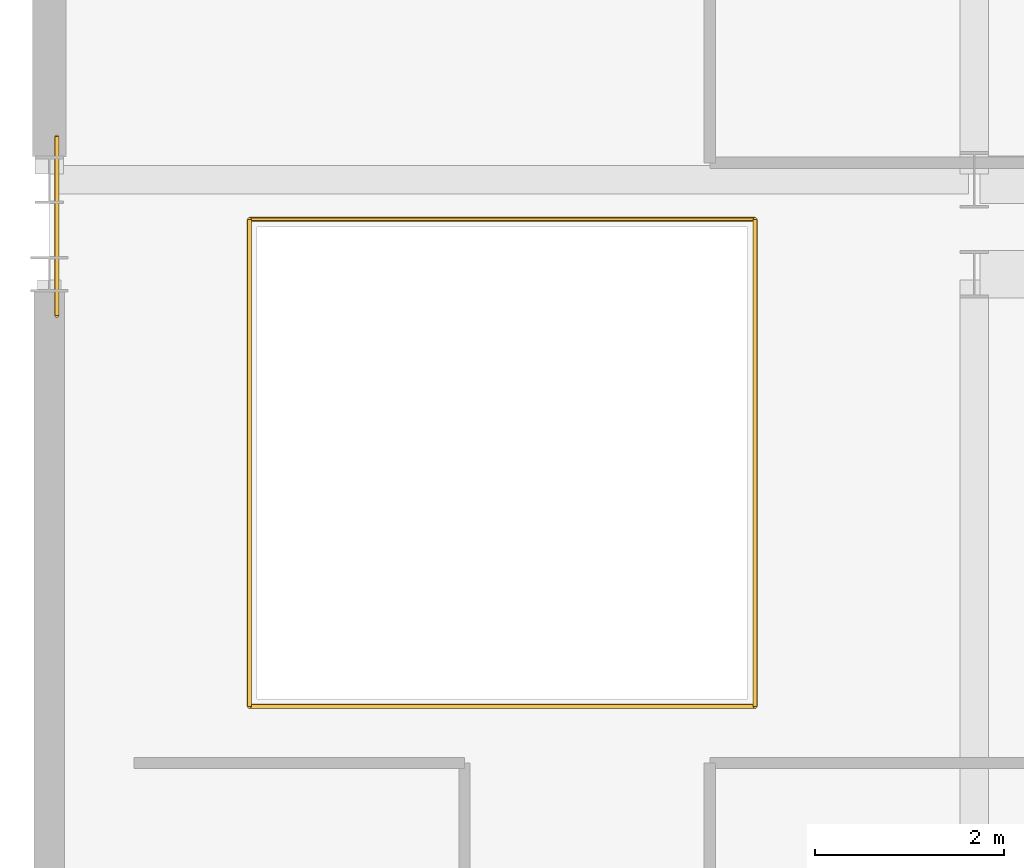
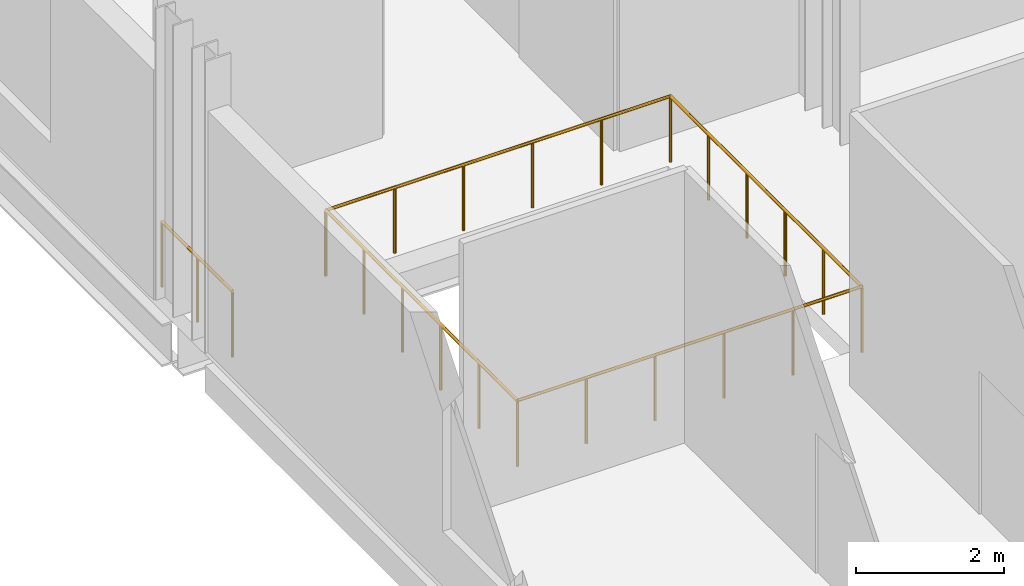
# One storey, part 124 of 142: 5 railings.
"""IFC4 building model written with IfcOpenShell, lengths in metres."""

from ifc_helpers import new_model, si_unit, direction, frame, origin, origin_2d, place, context, subcontext, project, spatial, circle, extrude, material, type_object, element, save


model = new_model("IFC4")

# Units and contexts
model_context = context("Model", 3, precision=1e-05, world=origin(), true_north=direction((0.0, 1.0)))
body_context = subcontext(model_context, "Body", "Model", "MODEL_VIEW")
ifc_project = project(units=[si_unit("LENGTHUNIT", "METRE"), si_unit("AREAUNIT", "SQUARE_METRE"), si_unit("VOLUMEUNIT", "CUBIC_METRE"), si_unit("PLANEANGLEUNIT", "RADIAN"), si_unit("MASSUNIT", "GRAM", prefix="KILO")], contexts=[model_context])

# Site, building, storey
site_placement = place(None, origin())
site = spatial("IfcSite", under=ifc_project, at=site_placement, CompositionType="ELEMENT")
building_placement = place(site_placement, origin())
building = spatial("IfcBuilding", under=site, at=building_placement, Name="Koshinbarg Plaza Stadium", CompositionType="ELEMENT")
storey_placement = place(building_placement, frame((0.0, 0.0, 10.199951171875)))
storey = spatial("IfcBuildingStorey", under=building, at=storey_placement, Name="L02", CompositionType="ELEMENT", Elevation=10.199951171875)

# Railings
ifc_material = material(Name="Toughened laminated glass and stainless steel sightline balustrade", Category="steel")
railing_type = type_object("IfcRailingType", Name="RL-BOWL-1100", PredefinedType="BALUSTRADE", material=ifc_material)
railing_1_placement = place(storey_placement, frame((6.1201171875, 121.919921875, 0.0)))
element("IfcRailing", 1, at=railing_1_placement, inside=storey, type_object=railing_type, Name="L02 atrium light-well balustrade 0063", PredefinedType="BALUSTRADE", context=body_context, shape_type="SweptSolid", body=[
    extrude(circle(Radius=0.02392578125, at=origin_2d()), frame((0.0, 0.0, 1.076171875), z_axis=(1.0, 0.0, 0.0), x_axis=(0.0, 1.0, 0.0)), (0.0, 0.0, 1.0), 5.35986328125),
    extrude(circle(Radius=0.02099609375, at=origin_2d()), origin(), (0.0, 0.0, 1.0), 1.052001953125),
    extrude(circle(Radius=0.02099609375, at=origin_2d()), frame((1.072021484375, 0.0, 0.0)), (0.0, 0.0, 1.0), 1.052001953125),
    extrude(circle(Radius=0.02099609375, at=origin_2d()), frame((2.14404296875, 0.0, 0.0)), (0.0, 0.0, 1.0), 1.052001953125),
    extrude(circle(Radius=0.02099609375, at=origin_2d()), frame((3.2158203125, 0.0, 0.0)), (0.0, 0.0, 1.0), 1.052001953125),
    extrude(circle(Radius=0.02099609375, at=origin_2d()), frame((4.287841796875, 0.0, 0.0)), (0.0, 0.0, 1.0), 1.052001953125),
    extrude(circle(Radius=0.02099609375, at=origin_2d()), frame((5.35986328125, 0.0, 0.0)), (0.0, 0.0, 1.0), 1.052001953125),
])
railing_2_placement = place(storey_placement, frame((11.47998046875, 121.919921875, 0.0)))
element("IfcRailing", 2, at=railing_2_placement, inside=storey, type_object=railing_type, Name="L02 atrium light-well balustrade 0064", PredefinedType="BALUSTRADE", context=body_context, shape_type="SweptSolid", body=[
    extrude(circle(Radius=0.02392578125, at=origin_2d()), frame((0.0, 0.0, 1.076171875), z_axis=(0.0, 1.0, 0.0), x_axis=(-1.0, 0.0, 0.0)), (0.0, 0.0, 1.0), 5.16015625),
    extrude(circle(Radius=0.02099609375, at=origin_2d()), origin(), (0.0, 0.0, 1.0), 1.052001953125),
    extrude(circle(Radius=0.02099609375, at=origin_2d()), frame((0.0, 1.031982421875, 0.0)), (0.0, 0.0, 1.0), 1.052001953125),
    extrude(circle(Radius=0.02099609375, at=origin_2d()), frame((0.0, 2.06396484375, 0.0)), (0.0, 0.0, 1.0), 1.052001953125),
    extrude(circle(Radius=0.02099609375, at=origin_2d()), frame((0.0, 3.09619140625, 0.0)), (0.0, 0.0, 1.0), 1.052001953125),
    extrude(circle(Radius=0.02099609375, at=origin_2d()), frame((0.0, 4.128173828125, 0.0)), (0.0, 0.0, 1.0), 1.052001953125),
    extrude(circle(Radius=0.02099609375, at=origin_2d()), frame((0.0, 5.16015625, 0.0)), (0.0, 0.0, 1.0), 1.052001953125),
])
railing_3_placement = place(storey_placement, frame((11.47998046875, 127.080078125, 0.0)))
element("IfcRailing", 3, at=railing_3_placement, inside=storey, type_object=railing_type, Name="L02 atrium light-well balustrade 0065", PredefinedType="BALUSTRADE", context=body_context, shape_type="SweptSolid", body=[
    extrude(circle(Radius=0.02392578125, at=origin_2d()), frame((0.0, 0.0, 1.076171875), z_axis=(-1.0, 0.0, 0.0), x_axis=(0.0, -1.0, 0.0)), (0.0, 0.0, 1.0), 5.35986328125),
    extrude(circle(Radius=0.02099609375, at=origin_2d()), origin(), (0.0, 0.0, 1.0), 1.052001953125),
    extrude(circle(Radius=0.02099609375, at=origin_2d()), frame((-1.072021484375, 0.0, 0.0)), (0.0, 0.0, 1.0), 1.052001953125),
    extrude(circle(Radius=0.02099609375, at=origin_2d()), frame((-2.14404296875, 0.0, 0.0)), (0.0, 0.0, 1.0), 1.052001953125),
    extrude(circle(Radius=0.02099609375, at=origin_2d()), frame((-3.2158203125, 0.0, 0.0)), (0.0, 0.0, 1.0), 1.052001953125),
    extrude(circle(Radius=0.02099609375, at=origin_2d()), frame((-4.287841796875, 0.0, 0.0)), (0.0, 0.0, 1.0), 1.052001953125),
    extrude(circle(Radius=0.02099609375, at=origin_2d()), frame((-5.35986328125, 0.0, 0.0)), (0.0, 0.0, 1.0), 1.052001953125),
])
railing_4_placement = place(storey_placement, frame((6.1201171875, 127.080078125, 0.0)))
element("IfcRailing", 4, at=railing_4_placement, inside=storey, type_object=railing_type, Name="L02 atrium light-well balustrade 0066", PredefinedType="BALUSTRADE", context=body_context, shape_type="SweptSolid", body=[
    extrude(circle(Radius=0.02392578125, at=origin_2d()), frame((0.0, 0.0, 1.076171875), z_axis=(0.0, -1.0, 0.0), x_axis=(1.0, 0.0, 0.0)), (0.0, 0.0, 1.0), 5.16015625),
    extrude(circle(Radius=0.02099609375, at=origin_2d()), origin(), (0.0, 0.0, 1.0), 1.052001953125),
    extrude(circle(Radius=0.02099609375, at=origin_2d()), frame((0.0, -1.031982421875, 0.0)), (0.0, 0.0, 1.0), 1.052001953125),
    extrude(circle(Radius=0.02099609375, at=origin_2d()), frame((0.0, -2.06396484375, 0.0)), (0.0, 0.0, 1.0), 1.052001953125),
    extrude(circle(Radius=0.02099609375, at=origin_2d()), frame((0.0, -3.09619140625, 0.0)), (0.0, 0.0, 1.0), 1.052001953125),
    extrude(circle(Radius=0.02099609375, at=origin_2d()), frame((0.0, -4.128173828125, 0.0)), (0.0, 0.0, 1.0), 1.052001953125),
    extrude(circle(Radius=0.02099609375, at=origin_2d()), frame((0.0, -5.16015625, 0.0)), (0.0, 0.0, 1.0), 1.052001953125),
])
railing_5_placement = place(storey_placement, frame((4.080078125, 126.060791015625, 0.0)))
element("IfcRailing", 5, at=railing_5_placement, inside=storey, type_object=railing_type, Name="L02 deck edge safety balustrade 0208", PredefinedType="BALUSTRADE", context=body_context, shape_type="SweptSolid", body=[
    extrude(circle(Radius=0.02392578125, at=origin_2d()), frame((0.0, 0.0, 1.076171875), z_axis=(0.0, 1.0, 0.0), x_axis=(-1.0, 0.0, 0.0)), (0.0, 0.0, 1.0), 1.895751953125),
    extrude(circle(Radius=0.02099609375, at=origin_2d()), origin(), (0.0, 0.0, 1.0), 1.052001953125),
    extrude(circle(Radius=0.02099609375, at=origin_2d()), frame((0.0, 0.94775390625, 0.0)), (0.0, 0.0, 1.0), 1.052001953125),
    extrude(circle(Radius=0.02099609375, at=origin_2d()), frame((0.0, 1.895751953125, 0.0)), (0.0, 0.0, 1.0), 1.052001953125),
])

save(model, "model.ifc")
